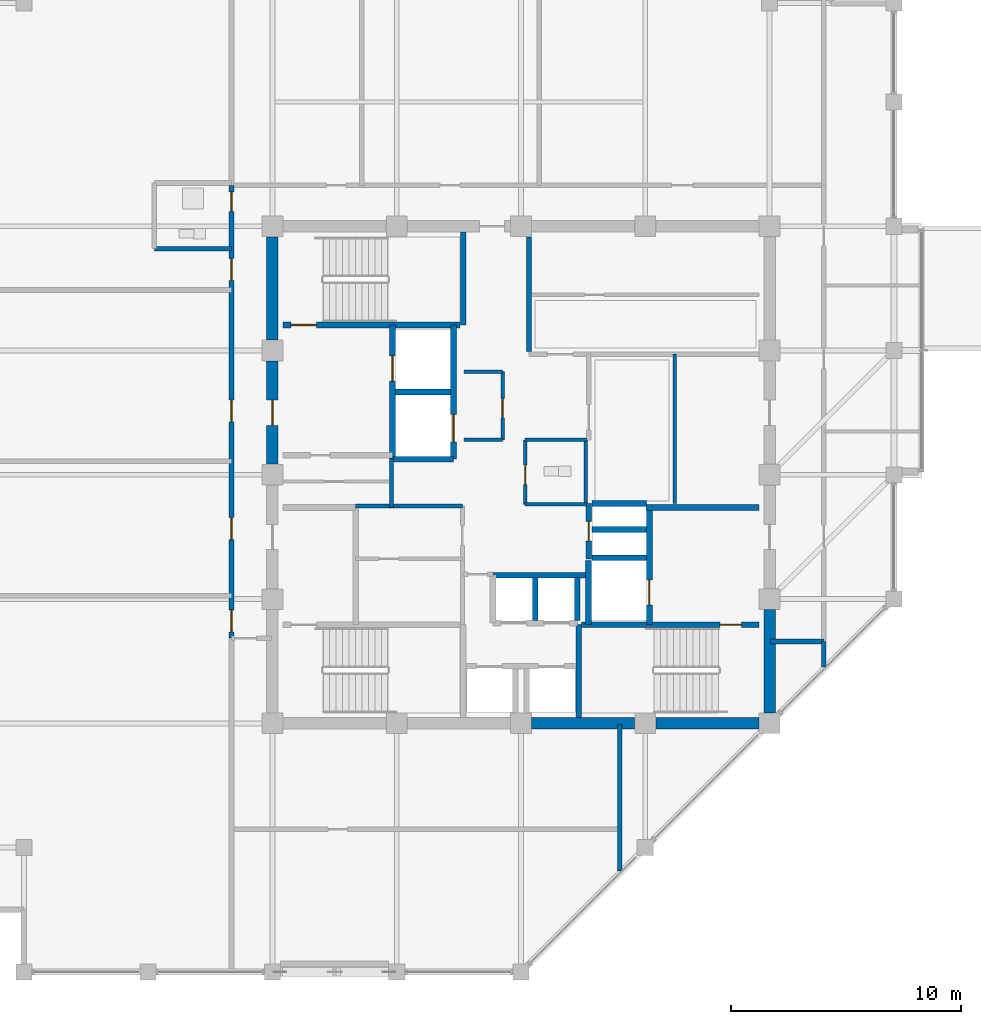
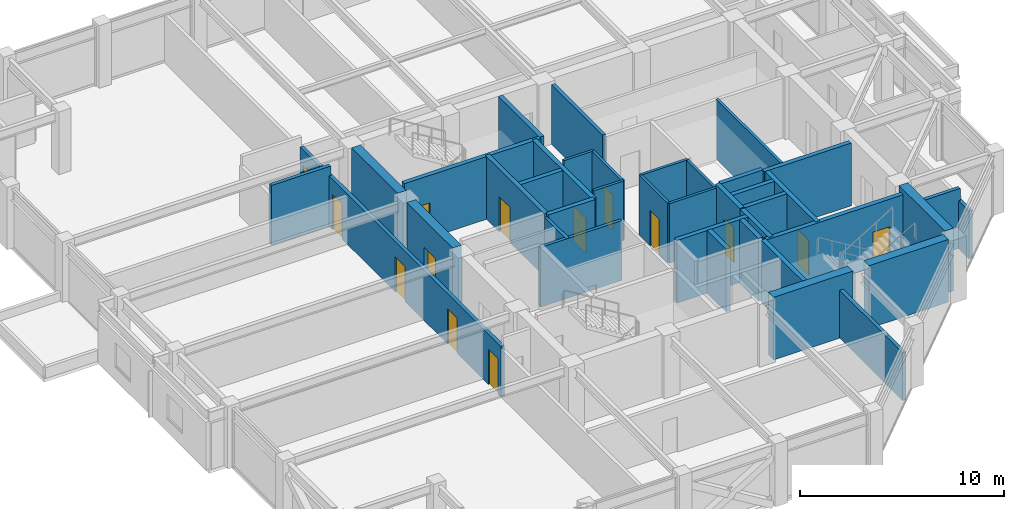
# One storey, part 26 of 31: 39 walls, 14 doors, 14 openings.
"""IFC4 building model written with IfcOpenShell, lengths in metres."""

from ifc_helpers import new_model, si_unit, direction, frame, frame_2d, origin, place, context, subcontext, project, spatial, rectangle, extrude, material, layer, layer_set, type_object, element, fill, save


model = new_model("IFC4")

# Units and contexts
model_context = context("Model", 3, precision=1e-05, world=origin(), true_north=direction((0.0, 1.0)))
body_context = subcontext(model_context, "Body", "Model", "MODEL_VIEW")
ifc_project = project(units=[si_unit("LENGTHUNIT", "METRE"), si_unit("AREAUNIT", "SQUARE_METRE"), si_unit("VOLUMEUNIT", "CUBIC_METRE"), si_unit("PLANEANGLEUNIT", "RADIAN"), si_unit("MASSUNIT", "GRAM", prefix="KILO")], contexts=[model_context])

# Site, building, storey
site_placement = place(None, origin())
site = spatial("IfcSite", under=ifc_project, at=site_placement, CompositionType="ELEMENT")
building_placement = place(site_placement, origin())
building = spatial("IfcBuilding", under=site, at=building_placement, Name="Surkhivell Harbour Commons", CompositionType="ELEMENT")
storey_placement = place(building_placement, frame((0.0, 0.0, 270.0)))
storey = spatial("IfcBuildingStorey", under=building, at=storey_placement, Name="L70", CompositionType="ELEMENT", Elevation=270.0)

# Walls
ifc_material_1 = material(Name="Concrete C50/60", Category="concrete")
ifc_layer_1 = layer(ifc_material_1, 0.5)
ifc_layer_set_1 = layer_set([ifc_layer_1], Name="Concrete C50/60")
wall_type_1 = type_object("IfcWallType", Name="WAL-CORE-500", PredefinedType="SHEAR", material=ifc_layer_set_1)
for number, where, z_axis, x_axis, name in (
    (1, (10.800048828125, -10.340087890625, 0.0), (0.0, 0.0, 1.0), (0.0, 1.0, 0.0), "L70 Core Shear Wall East 1"),
    (2, (0.4599609375, -10.800048828125, 0.0), (0.0, 0.0, 1.0), (1.0, 0.0, 0.0), "L70 Core Shear Wall South 3"),
):
    element("IfcWall", number, at=place(storey_placement, frame(where, z_axis=z_axis, x_axis=x_axis)), inside=storey, type_object=wall_type_1, Name=name, PredefinedType="SHEAR", context=body_context, shape_type="SweptSolid", body=[
        extrude(rectangle(XDim=4.47998046875, YDim=0.5, at=frame_2d((2.239990234375, 0.0))), origin(), (0.0, 0.0, 1.0), 3.75),
    ])

# Wall, opening, door
wall_1_placement = place(storey_placement, frame((-10.800048828125, 0.4599609375, 0.0), z_axis=(0.0, 0.0, 1.0), x_axis=(0.0, 1.0, 0.0)))
wall_1 = element("IfcWall", 3, at=wall_1_placement, inside=storey, type_object=wall_type_1, Name="L70 Core Shear Wall West 3", PredefinedType="SHEAR", context=body_context, shape_type="SweptSolid", body=[
    extrude(rectangle(XDim=4.47998046875, YDim=0.5, at=frame_2d((2.239990234375, 0.0))), origin(), (0.0, 0.0, 1.0), 3.75),
])
opening_1_placement = place(wall_1_placement, frame((1.68994140625, 0.0, 0.0)))
opening_1 = element("IfcOpeningElement", 4, at=opening_1_placement, cuts=wall_1, Name="Opening ID-1", PredefinedType="OPENING", context=body_context, shape_type="SweptSolid", body=[
    extrude(rectangle(XDim=1.10009765625, YDim=2.10009765625, at=frame_2d((0.550048828125, 1.050048828125))), frame((0.0, 0.260009765625, 0.0), z_axis=(0.0, -1.0, 0.0), x_axis=(1.0, 0.0, 0.0)), (0.0, 0.0, 1.0), 0.52001953125),
])
ifc_material_2 = material(Name="Hardwood-veneered fire-rated door leaf", Category="wood")
door_type_1 = type_object("IfcDoorType", Name="DOR-FD120-1100", OperationType="NOTDEFINED", PredefinedType="DOOR", material=ifc_material_2)
door_1_placement = place(opening_1_placement, origin())
door_1 = element("IfcDoor", 5, at=door_1_placement, inside=storey, type_object=door_type_1, Name="L70 Firefighting Lobby 1 Corridor Door", OperationType="SINGLE_SWING_LEFT", OverallHeight=2.10009765625, OverallWidth=1.10009765625, PredefinedType="DOOR", context=body_context, shape_type="SweptSolid", body=[
    extrude(rectangle(XDim=1.10009765625, YDim=2.10009765625, at=frame_2d((0.550048828125, 1.050048828125))), frame((0.0, 0.02490234375, 0.0), z_axis=(0.0, -1.0, 0.0), x_axis=(1.0, 0.0, 0.0)), (0.0, 0.0, 1.0), 0.050048828125),
])
fill(opening_1, door_1)

# Walls
for number, where, z_axis, x_axis, name in (
    (6, (5.860107421875, -10.800048828125, 0.0), (0.0, 0.0, 1.0), (1.0, 0.0, 0.0), "L70 Core Shear Wall South 4"),
    (7, (-10.800048828125, 5.860107421875, 0.0), (0.0, 0.0, 1.0), (0.0, 1.0, 0.0), "L70 Core Shear Wall West 4"),
):
    element("IfcWall", number, at=place(storey_placement, frame(where, z_axis=z_axis, x_axis=x_axis)), inside=storey, type_object=wall_type_1, Name=name, PredefinedType="SHEAR", context=body_context, shape_type="SweptSolid", body=[
        extrude(rectangle(XDim=4.47998046875, YDim=0.5, at=frame_2d((2.239990234375, 0.0))), origin(), (0.0, 0.0, 1.0), 3.75),
    ])
ifc_material_3 = material(Name="Twin-stud acoustic fireboard partition", Category="other")
ifc_layer_2 = layer(ifc_material_3, 0.14990234375)
ifc_layer_set_2 = layer_set([ifc_layer_2], Name="Twin-stud acoustic fireboard partition")
wall_type_2 = type_object("IfcWallType", Name="WAL-INT-150", PredefinedType="PARTITIONING", material=ifc_layer_set_2)
wall_2_placement = place(storey_placement, frame((2.820068359375, -1.25, 0.0), z_axis=(0.0, 0.0, 1.0), x_axis=(0.0, 1.0, 0.0)))
element("IfcWall", 8, at=wall_2_placement, inside=storey, type_object=wall_type_2, Name="L70 Core WC East Wall", PredefinedType="PARTITIONING", context=body_context, shape_type="SweptSolid", body=[
    extrude(rectangle(XDim=2.77001953125, YDim=0.14990234375, at=frame_2d((1.385009765625, 0.0))), origin(), (0.0, 0.0, 1.0), 3.570068359375),
])
for number, where, z_axis, x_axis, name in (
    (9, (0.179931640625, 1.52001953125, 0.0), (0.0, 0.0, 1.0), (1.0, 0.0, 0.0), "L70 Core WC North Wall"),
    (10, (0.179931640625, -1.280029296875, 0.0), (0.0, 0.0, 1.0), (1.0, 0.0, 0.0), "L70 Core WC South Wall"),
):
    element("IfcWall", number, at=place(storey_placement, frame(where, z_axis=z_axis, x_axis=x_axis)), inside=storey, type_object=wall_type_2, Name=name, PredefinedType="PARTITIONING", context=body_context, shape_type="SweptSolid", body=[
        extrude(rectangle(XDim=2.670166015625, YDim=0.14990234375, at=frame_2d((1.3349609375, 0.0))), origin(), (0.0, 0.0, 1.0), 3.570068359375),
    ])

# Wall, opening, door
wall_3_placement = place(storey_placement, frame((0.179931640625, -1.280029296875, 0.0), z_axis=(0.0, 0.0, 1.0), x_axis=(0.0, 1.0, 0.0)))
wall_3 = element("IfcWall", 11, at=wall_3_placement, inside=storey, type_object=wall_type_2, Name="L70 Core Accessible WC West Wall", PredefinedType="PARTITIONING", context=body_context, shape_type="SweptSolid", body=[
    extrude(rectangle(XDim=2.800048828125, YDim=0.14990234375, at=frame_2d((1.39990234375, 0.0))), origin(), (0.0, 0.0, 1.0), 3.570068359375),
])
opening_2_placement = place(wall_3_placement, frame((0.85009765625, 0.0, 0.0)))
opening_2 = element("IfcOpeningElement", 12, at=opening_2_placement, cuts=wall_3, Name="Opening ID-6", PredefinedType="OPENING", context=body_context, shape_type="SweptSolid", body=[
    extrude(rectangle(XDim=0.85009765625, YDim=2.10009765625, at=frame_2d((0.425048828125, 1.050048828125))), frame((0.0, 0.0849609375, 0.0), z_axis=(0.0, -1.0, 0.0), x_axis=(1.0, 0.0, 0.0)), (0.0, 0.0, 1.0), 0.169921875),
])
door_type_2 = type_object("IfcDoorType", Name="DOR-FD30-850", OperationType="NOTDEFINED", PredefinedType="DOOR", material=ifc_material_2)
door_2_placement = place(opening_2_placement, origin())
door_2 = element("IfcDoor", 13, at=door_2_placement, inside=storey, type_object=door_type_2, Name="L70 Floor Accessible WC Door", OperationType="SINGLE_SWING_RIGHT", OverallHeight=2.10009765625, OverallWidth=0.85009765625, PredefinedType="DOOR", context=body_context, shape_type="SweptSolid", body=[
    extrude(rectangle(XDim=0.85009765625, YDim=2.10009765625, at=frame_2d((0.425048828125, 1.050048828125))), frame((0.0, 0.02490234375, 0.0), z_axis=(0.0, -1.0, 0.0), x_axis=(1.0, 0.0, 0.0)), (0.0, 0.0, 1.0), 0.050048828125),
])
fill(opening_2, door_2)

# Wall
wall_4_placement = place(storey_placement, frame((6.679931640625, -1.25, 0.0), z_axis=(0.0, 0.0, 1.0), x_axis=(0.0, 1.0, 0.0)))
element("IfcWall", 14, at=wall_4_placement, inside=storey, type_object=wall_type_2, Name="L70 Seminar Room Wall", PredefinedType="PARTITIONING", context=body_context, shape_type="SweptSolid", body=[
    extrude(rectangle(XDim=6.489990234375, YDim=0.14990234375, at=frame_2d((3.2451171875, 0.0))), origin(), (0.0, 0.0, 1.0), 3.570068359375),
])

# Wall, opening, door
wall_5_placement = place(storey_placement, frame((-0.800048828125, 1.52001953125, 0.0), z_axis=(0.0, 0.0, 1.0), x_axis=(0.0, 1.0, 0.0)))
wall_5 = element("IfcWall", 15, at=wall_5_placement, inside=storey, type_object=wall_type_2, Name="L70 Core Seminar East Wall", PredefinedType="PARTITIONING", context=body_context, shape_type="SweptSolid", body=[
    extrude(rectangle(XDim=2.9599609375, YDim=0.14990234375, at=frame_2d((1.47998046875, 0.0))), origin(), (0.0, 0.0, 1.0), 3.570068359375),
])
opening_3_placement = place(wall_5_placement, frame((0.949951171875, 0.0, 0.0)))
opening_3 = element("IfcOpeningElement", 16, at=opening_3_placement, cuts=wall_5, Name="Opening ID-6", PredefinedType="OPENING", context=body_context, shape_type="SweptSolid", body=[
    extrude(rectangle(XDim=0.85009765625, YDim=2.10009765625, at=frame_2d((0.425048828125, 1.050048828125))), frame((0.0, 0.0849609375, 0.0), z_axis=(0.0, -1.0, 0.0), x_axis=(1.0, 0.0, 0.0)), (0.0, 0.0, 1.0), 0.169921875),
])
door_3_placement = place(opening_3_placement, origin())
door_3 = element("IfcDoor", 17, at=door_3_placement, inside=storey, type_object=door_type_2, Name="L70 Central Seminar Door", OperationType="SINGLE_SWING_LEFT", OverallHeight=2.10009765625, OverallWidth=0.85009765625, PredefinedType="DOOR", context=body_context, shape_type="SweptSolid", body=[
    extrude(rectangle(XDim=0.85009765625, YDim=2.10009765625, at=frame_2d((0.425048828125, 1.050048828125))), frame((0.0, 0.02490234375, 0.0), z_axis=(0.0, -1.0, 0.0), x_axis=(1.0, 0.0, 0.0)), (0.0, 0.0, 1.0), 0.050048828125),
])
fill(opening_3, door_3)

# Walls
for number, where, z_axis, x_axis, name in (
    (18, (-2.47998046875, 4.47998046875, 0.0), (0.0, 0.0, 1.0), (1.0, 0.0, 0.0), "L70 Core Seminar North Wall"),
    (19, (-2.47998046875, 1.52001953125, 0.0), (0.0, 0.0, 1.0), (1.0, 0.0, 0.0), "L70 Core Seminar South Wall"),
):
    element("IfcWall", number, at=place(storey_placement, frame(where, z_axis=z_axis, x_axis=x_axis)), inside=storey, type_object=wall_type_2, Name=name, PredefinedType="PARTITIONING", context=body_context, shape_type="SweptSolid", body=[
        extrude(rectangle(XDim=1.679931640625, YDim=0.14990234375, at=frame_2d((0.83984375, 0.0))), origin(), (0.0, 0.0, 1.0), 3.570068359375),
    ])
ifc_material_4 = material(Name="High-density acoustic blockwork fire partition", Category="masonry")
ifc_layer_3 = layer(ifc_material_4, 0.175048828125)
ifc_layer_set_3 = layer_set([ifc_layer_3], Name="High-density acoustic blockwork fire partition")
wall_type_3 = type_object("IfcWallType", Name="WAL-INT-175", PredefinedType="PARTITIONING", material=ifc_layer_set_3)
wall_6_placement = place(storey_placement, frame((-7.179931640625, -1.35009765625, 0.0), z_axis=(0.0, 0.0, 1.0), x_axis=(1.0, 0.0, 0.0)))
element("IfcWall", 20, at=wall_6_placement, inside=storey, type_object=wall_type_3, Name="L70 Core Service Bay North Wall", PredefinedType="PARTITIONING", context=body_context, shape_type="SweptSolid", body=[
    extrude(rectangle(XDim=4.6298828125, YDim=0.175048828125, at=frame_2d((2.31494140625, 0.0))), origin(), (0.0, 0.0, 1.0), 3.570068359375),
])
wall_7_placement = place(storey_placement, frame((-5.6201171875, -1.419921875, 0.0), z_axis=(0.0, 0.0, 1.0), x_axis=(0.0, 1.0, 0.0)))
element("IfcWall", 21, at=wall_7_placement, inside=storey, type_object=wall_type_3, Name="L70 West Core Bay East Wall", PredefinedType="PARTITIONING", context=body_context, shape_type="SweptSolid", body=[
    extrude(rectangle(XDim=2.139892578125, YDim=0.175048828125, at=frame_2d((1.06982421875, 0.0))), origin(), (0.0, 0.0, 1.0), 3.570068359375),
])
ifc_material_5 = material(Name="Autoclaved aerated concrete blockwork and fire plaster", Category="masonry")
ifc_layer_4 = layer(ifc_material_5, 0.199951171875)
ifc_layer_set_4 = layer_set([ifc_layer_4], Name="Autoclaved aerated concrete blockwork and fire plaster")
wall_type_4 = type_object("IfcWallType", Name="WAL-INT-200", PredefinedType="PARTITIONING", material=ifc_layer_set_4)
wall_8_placement = place(storey_placement, frame((0.35009765625, 5.360107421875, 0.0), z_axis=(0.0, 0.0, 1.0), x_axis=(0.0, 1.0, 0.0)))
element("IfcWall", 22, at=wall_8_placement, inside=storey, type_object=wall_type_4, Name="L70 Reclaimed Core North Bay West Wall", PredefinedType="PARTITIONING", context=body_context, shape_type="SweptSolid", body=[
    extrude(rectangle(XDim=4.97998046875, YDim=0.199951171875, at=frame_2d((2.489990234375, 0.0))), origin(), (0.0, 0.0, 1.0), 3.570068359375),
])
wall_9_placement = place(storey_placement, frame((13.159912109375, -8.355224609375, 0.0), z_axis=(0.0, 0.0, 1.0), x_axis=(0.0, 1.0, 0.0)))
element("IfcWall", 23, at=wall_9_placement, inside=storey, type_object=wall_type_4, Name="L70 East Wing South Closure Wall", PredefinedType="PARTITIONING", context=body_context, shape_type="SweptSolid", body=[
    extrude(rectangle(XDim=1.115234375, YDim=0.199951171875, at=frame_2d((0.5576171875, 0.0))), origin(), (0.0, 0.0, 1.0), 2.85693359375),
])
wall_10_placement = place(storey_placement, frame((10.85009765625, -7.239990234375, 0.0), z_axis=(0.0, 0.0, 1.0), x_axis=(1.0, 0.0, 0.0)))
element("IfcWall", 24, at=wall_10_placement, inside=storey, type_object=wall_type_4, Name="L70 East Corridor South Closure Wall", PredefinedType="PARTITIONING", context=body_context, shape_type="SweptSolid", body=[
    extrude(rectangle(XDim=2.309814453125, YDim=0.199951171875, at=frame_2d((1.15478515625, 0.0))), origin(), (0.0, 0.0, 1.0), 3.570068359375),
])
wall_11_placement = place(storey_placement, frame((4.300048828125, -17.215087890625, 0.0), z_axis=(0.0, 0.0, 1.0), x_axis=(0.0, 1.0, 0.0)))
element("IfcWall", 25, at=wall_11_placement, inside=storey, type_object=wall_type_4, Name="L70 South Hall East Wall", PredefinedType="PARTITIONING", context=body_context, shape_type="SweptSolid", body=[
    extrude(rectangle(XDim=6.364990234375, YDim=0.199951171875, at=frame_2d((3.1826171875, 0.0))), origin(), (0.0, 0.0, 1.0), 2.85693359375),
])

# Wall, openings, doors
wall_12_placement = place(storey_placement, frame((-12.580078125, -7.10009765625, 0.0), z_axis=(0.0, 0.0, 1.0), x_axis=(0.0, 1.0, 0.0)))
wall_12 = element("IfcWall", 26, at=wall_12_placement, inside=storey, type_object=wall_type_4, Name="L70 West Corridor Wall", PredefinedType="PARTITIONING", context=body_context, shape_type="SweptSolid", body=[
    extrude(rectangle(XDim=19.68017578125, YDim=0.199951171875, at=frame_2d((9.840087890625, 0.0))), origin(), (0.0, 0.0, 1.0), 3.012939453125),
])
opening_4_placement = place(wall_12_placement, frame((0.280029296875, 0.0, 0.0)))
opening_4 = element("IfcOpeningElement", 27, at=opening_4_placement, cuts=wall_12, Name="Opening ID-4", PredefinedType="OPENING", context=body_context, shape_type="SweptSolid", body=[
    extrude(rectangle(XDim=0.949951171875, YDim=2.10009765625, at=frame_2d((0.47509765625, 1.050048828125))), frame((0.0, 0.10986328125, 0.0), z_axis=(0.0, -1.0, 0.0), x_axis=(1.0, 0.0, 0.0)), (0.0, 0.0, 1.0), 0.219970703125),
])
opening_5_placement = place(wall_12_placement, frame((18.550048828125, 0.0, 0.0)))
opening_5 = element("IfcOpeningElement", 28, at=opening_5_placement, cuts=wall_12, Name="Opening ID-6", PredefinedType="OPENING", context=body_context, shape_type="SweptSolid", body=[
    extrude(rectangle(XDim=0.85009765625, YDim=2.10009765625, at=frame_2d((0.425048828125, 1.050048828125))), frame((0.0, 0.10986328125, 0.0), z_axis=(0.0, -1.0, 0.0), x_axis=(1.0, 0.0, 0.0)), (0.0, 0.0, 1.0), 0.219970703125),
])
opening_6_placement = place(wall_12_placement, frame((15.550048828125, 0.0, 0.0)))
opening_6 = element("IfcOpeningElement", 29, at=opening_6_placement, cuts=wall_12, Name="Opening ID-4", PredefinedType="OPENING", context=body_context, shape_type="SweptSolid", body=[
    extrude(rectangle(XDim=0.949951171875, YDim=2.10009765625, at=frame_2d((0.47509765625, 1.050048828125))), frame((0.0, 0.10986328125, 0.0), z_axis=(0.0, -1.0, 0.0), x_axis=(1.0, 0.0, 0.0)), (0.0, 0.0, 1.0), 0.219970703125),
])
opening_7_placement = place(wall_12_placement, frame((4.2900390625, 0.0, 0.0)))
opening_7 = element("IfcOpeningElement", 30, at=opening_7_placement, cuts=wall_12, Name="Opening ID-4", PredefinedType="OPENING", context=body_context, shape_type="SweptSolid", body=[
    extrude(rectangle(XDim=0.949951171875, YDim=2.10009765625, at=frame_2d((0.47509765625, 1.050048828125))), frame((0.0, 0.10986328125, 0.0), z_axis=(0.0, -1.0, 0.0), x_axis=(1.0, 0.0, 0.0)), (0.0, 0.0, 1.0), 0.219970703125),
])
opening_8_placement = place(wall_12_placement, frame((9.4013671875, 0.0, 0.0)))
opening_8 = element("IfcOpeningElement", 31, at=opening_8_placement, cuts=wall_12, Name="Opening ID-4", PredefinedType="OPENING", context=body_context, shape_type="SweptSolid", body=[
    extrude(rectangle(XDim=0.949951171875, YDim=2.10009765625, at=frame_2d((0.47509765625, 1.050048828125))), frame((0.0, 0.10986328125, 0.0), z_axis=(0.0, -1.0, 0.0), x_axis=(1.0, 0.0, 0.0)), (0.0, 0.0, 1.0), 0.219970703125),
])
door_4_placement = place(opening_5_placement, origin())
door_4 = element("IfcDoor", 32, at=door_4_placement, inside=storey, type_object=door_type_2, Name="L70 Communal Shower Bathroom West Door", OperationType="SINGLE_SWING_LEFT", OverallHeight=2.10009765625, OverallWidth=0.85009765625, PredefinedType="DOOR", context=body_context, shape_type="SweptSolid", body=[
    extrude(rectangle(XDim=0.85009765625, YDim=2.10009765625, at=frame_2d((0.425048828125, 1.050048828125))), frame((0.0, 0.02490234375, 0.0), z_axis=(0.0, -1.0, 0.0), x_axis=(1.0, 0.0, 0.0)), (0.0, 0.0, 1.0), 0.050048828125),
])
fill(opening_5, door_4)
door_type_3 = type_object("IfcDoorType", Name="DOR-FD60-950", OperationType="NOTDEFINED", PredefinedType="DOOR", material=ifc_material_2)
door_5_placement = place(opening_4_placement, origin())
door_5 = element("IfcDoor", 33, at=door_5_placement, inside=storey, type_object=door_type_3, Name="L70 Shared Communal Kitchen West Door", OperationType="SINGLE_SWING_RIGHT", OverallHeight=2.10009765625, OverallWidth=0.949951171875, PredefinedType="DOOR", context=body_context, shape_type="SweptSolid", body=[
    extrude(rectangle(XDim=0.949951171875, YDim=2.10009765625, at=frame_2d((0.47509765625, 1.050048828125))), frame((0.0, 0.02490234375, 0.0), z_axis=(0.0, -1.0, 0.0), x_axis=(1.0, 0.0, 0.0)), (0.0, 0.0, 1.0), 0.050048828125),
])
fill(opening_4, door_5)
door_6_placement = place(opening_6_placement, origin())
door_6 = element("IfcDoor", 34, at=door_6_placement, inside=storey, type_object=door_type_3, Name="L70 Academic Reading Commons West Door", OperationType="SINGLE_SWING_RIGHT", OverallHeight=2.10009765625, OverallWidth=0.949951171875, PredefinedType="DOOR", context=body_context, shape_type="SweptSolid", body=[
    extrude(rectangle(XDim=0.949951171875, YDim=2.10009765625, at=frame_2d((0.47509765625, 1.050048828125))), frame((0.0, 0.02490234375, 0.0), z_axis=(0.0, -1.0, 0.0), x_axis=(1.0, 0.0, 0.0)), (0.0, 0.0, 1.0), 0.050048828125),
])
fill(opening_6, door_6)
door_7_placement = place(opening_7_placement, origin())
door_7 = element("IfcDoor", 35, at=door_7_placement, inside=storey, type_object=door_type_3, Name="L70 Hostel Cluster Bedroom 1 West Door", OperationType="SINGLE_SWING_LEFT", OverallHeight=2.10009765625, OverallWidth=0.949951171875, PredefinedType="DOOR", context=body_context, shape_type="SweptSolid", body=[
    extrude(rectangle(XDim=0.949951171875, YDim=2.10009765625, at=frame_2d((0.47509765625, 1.050048828125))), frame((0.0, 0.02490234375, 0.0), z_axis=(0.0, -1.0, 0.0), x_axis=(1.0, 0.0, 0.0)), (0.0, 0.0, 1.0), 0.050048828125),
])
fill(opening_7, door_7)
door_8_placement = place(opening_8_placement, origin())
door_8 = element("IfcDoor", 36, at=door_8_placement, inside=storey, type_object=door_type_3, Name="L70 Co-Living Dormitory Bedroom 2 West Door", OperationType="SINGLE_SWING_RIGHT", OverallHeight=2.10009765625, OverallWidth=0.949951171875, PredefinedType="DOOR", context=body_context, shape_type="SweptSolid", body=[
    extrude(rectangle(XDim=0.949951171875, YDim=2.10009765625, at=frame_2d((0.47509765625, 1.050048828125))), frame((0.0, 0.02490234375, 0.0), z_axis=(0.0, -1.0, 0.0), x_axis=(1.0, 0.0, 0.0)), (0.0, 0.0, 1.0), 0.050048828125),
])
fill(opening_8, door_8)

# Wall
wall_13_placement = place(storey_placement, frame((-15.929931640625, 9.830078125, 0.0), z_axis=(0.0, 0.0, 1.0), x_axis=(1.0, 0.0, 0.0)))
element("IfcWall", 37, at=wall_13_placement, inside=storey, type_object=wall_type_4, Name="L70 West Partition BTHS", PredefinedType="PARTITIONING", context=body_context, shape_type="SweptSolid", body=[
    extrude(rectangle(XDim=3.349853515625, YDim=0.199951171875, at=frame_2d((1.6748046875, 0.0))), origin(), (0.0, 0.0, 1.0), 3.570068359375),
])

# Wall, opening, door
ifc_layer_5 = layer(ifc_material_1, 0.25)
ifc_layer_set_5 = layer_set([ifc_layer_5], Name="Concrete C50/60")
wall_type_5 = type_object("IfcWallType", Name="WAL-SHAFT-250", PredefinedType="SHEAR", material=ifc_layer_set_5)
wall_14_placement = place(storey_placement, frame((-5.580078125, 0.719970703125, 0.0), z_axis=(0.0, 0.0, 1.0), x_axis=(0.0, 1.0, 0.0)))
wall_14 = element("IfcWall", 38, at=wall_14_placement, inside=storey, type_object=wall_type_5, Name="L70 Firefighting Lobby 1 East Shaft Wall", PredefinedType="SHEAR", context=body_context, shape_type="SweptSolid", body=[
    extrude(rectangle(XDim=5.7900390625, YDim=0.25, at=frame_2d((2.89501953125, 0.0))), origin(), (0.0, 0.0, 1.0), 3.75),
])
opening_9_placement = place(wall_14_placement, frame((3.35009765625, 0.0, 0.0)))
opening_9 = element("IfcOpeningElement", 39, at=opening_9_placement, cuts=wall_14, Name="Opening LD-1", PredefinedType="OPENING", context=body_context, shape_type="SweptSolid", body=[
    extrude(rectangle(XDim=1.10009765625, YDim=2.10009765625, at=frame_2d((0.550048828125, 1.050048828125))), frame((0.0, 0.135009765625, 0.0), z_axis=(0.0, -1.0, 0.0), x_axis=(1.0, 0.0, 0.0)), (0.0, 0.0, 1.0), 0.27001953125),
])
ifc_material_6 = material(Name="Brushed stainless steel S355", Category="steel")
door_type_4 = type_object("IfcDoorType", Name="DOR-LD-1100", OperationType="SLIDING_TO_LEFT", PredefinedType="DOOR", material=ifc_material_6)
door_9_placement = place(opening_9_placement, origin())
door_9 = element("IfcDoor", 40, at=door_9_placement, inside=storey, type_object=door_type_4, Name="L70 Lift Landing Door LD-FFL1", OperationType="SLIDING_TO_LEFT", OverallHeight=2.10009765625, OverallWidth=1.10009765625, PredefinedType="DOOR", context=body_context, shape_type="SweptSolid", body=[
    extrude(rectangle(XDim=1.10009765625, YDim=2.10009765625, at=frame_2d((0.550048828125, 1.050048828125))), frame((0.0, 0.02490234375, 0.0), z_axis=(0.0, -1.0, 0.0), x_axis=(1.0, 0.0, 0.0)), (0.0, 0.0, 1.0), 0.050048828125),
])
fill(opening_9, door_9)

# Walls
wall_15_placement = place(storey_placement, frame((2.929931640625, -6.510009765625, 0.0), z_axis=(0.0, 0.0, 1.0), x_axis=(0.0, 1.0, 0.0)))
element("IfcWall", 41, at=wall_15_placement, inside=storey, type_object=wall_type_5, Name="L70 FFL2 West Shaft Wall", PredefinedType="SHEAR", context=body_context, shape_type="SweptSolid", body=[
    extrude(rectangle(XDim=2.7900390625, YDim=0.25, at=frame_2d((1.39501953125, 0.0))), origin(), (0.0, 0.0, 1.0), 3.75),
])
wall_16_placement = place(storey_placement, frame((5.43994140625, -1.419921875, 0.0), z_axis=(0.0, 0.0, 1.0), x_axis=(1.0, 0.0, 0.0)))
element("IfcWall", 42, at=wall_16_placement, inside=storey, type_object=wall_type_5, Name="L70 Firefighting Lobby 2 North Wall", PredefinedType="SHEAR", context=body_context, shape_type="SweptSolid", body=[
    extrude(rectangle(XDim=4.900146484375, YDim=0.25, at=frame_2d((2.4501953125, 0.0))), origin(), (0.0, 0.0, 1.0), 3.75),
])
wall_17_placement = place(storey_placement, frame((3.080078125, -3.60009765625, 0.0), z_axis=(0.0, 0.0, 1.0), x_axis=(1.0, 0.0, 0.0)))
element("IfcWall", 43, at=wall_17_placement, inside=storey, type_object=wall_type_5, Name="L70 FFL2 North Shaft Wall", PredefinedType="SHEAR", context=body_context, shape_type="SweptSolid", body=[
    extrude(rectangle(XDim=2.369873046875, YDim=0.25, at=frame_2d((1.18505859375, 0.0))), origin(), (0.0, 0.0, 1.0), 3.75),
])

# Wall, opening, door
wall_18_placement = place(storey_placement, frame((5.580078125, -6.510009765625, 0.0), z_axis=(0.0, 0.0, 1.0), x_axis=(0.0, 1.0, 0.0)))
wall_18 = element("IfcWall", 44, at=wall_18_placement, inside=storey, type_object=wall_type_5, Name="L70 Firefighting Lobby 2 West Shaft Wall", PredefinedType="SHEAR", context=body_context, shape_type="SweptSolid", body=[
    extrude(rectangle(XDim=5.090087890625, YDim=0.25, at=frame_2d((2.544921875, 0.0))), origin(), (0.0, 0.0, 1.0), 3.75),
])
opening_10_placement = place(wall_18_placement, frame((0.85009765625, 0.0, 0.0)))
opening_10 = element("IfcOpeningElement", 45, at=opening_10_placement, cuts=wall_18, Name="Opening LD-1", PredefinedType="OPENING", context=body_context, shape_type="SweptSolid", body=[
    extrude(rectangle(XDim=1.10009765625, YDim=2.10009765625, at=frame_2d((0.550048828125, 1.050048828125))), frame((0.0, 0.135009765625, 0.0), z_axis=(0.0, -1.0, 0.0), x_axis=(1.0, 0.0, 0.0)), (0.0, 0.0, 1.0), 0.27001953125),
])
door_10_placement = place(opening_10_placement, origin())
door_10 = element("IfcDoor", 46, at=door_10_placement, inside=storey, type_object=door_type_4, Name="L70 Lift Landing Door LD-FFL2", OperationType="SLIDING_TO_RIGHT", OverallHeight=2.10009765625, OverallWidth=1.10009765625, PredefinedType="DOOR", context=body_context, shape_type="SweptSolid", body=[
    extrude(rectangle(XDim=1.10009765625, YDim=2.10009765625, at=frame_2d((0.550048828125, 1.050048828125))), frame((0.0, 0.02490234375, 0.0), z_axis=(0.0, -1.0, 0.0), x_axis=(1.0, 0.0, 0.0)), (0.0, 0.0, 1.0), 0.050048828125),
])
fill(opening_10, door_10)

# Walls
for number, where, z_axis, x_axis, name in (
    (47, (0.6201171875, -6.340087890625, 0.0), (0.0, 0.0, 1.0), (0.0, 1.0, 0.0), "L70 High-Rise Side Wall N"),
    (48, (2.449951171875, -6.340087890625, 0.0), (0.0, 0.0, 1.0), (0.0, 1.0, 0.0), "L70 High-Rise Side Wall N"),
):
    element("IfcWall", number, at=place(storey_placement, frame(where, z_axis=z_axis, x_axis=x_axis)), inside=storey, type_object=wall_type_5, Name=name, PredefinedType="SHEAR", context=body_context, shape_type="SweptSolid", body=[
        extrude(rectangle(XDim=1.880126953125, YDim=0.25, at=frame_2d((0.93994140625, 0.0))), origin(), (0.0, 0.0, 1.0), 3.75),
    ])
wall_19_placement = place(storey_placement, frame((-1.219970703125, -4.360107421875, 0.0), z_axis=(0.0, 0.0, 1.0), x_axis=(1.0, 0.0, 0.0)))
element("IfcWall", 49, at=wall_19_placement, inside=storey, type_object=wall_type_5, Name="L70 High-Rise North Back Shaft Wall", PredefinedType="SHEAR", context=body_context, shape_type="SweptSolid", body=[
    extrude(rectangle(XDim=4.030029296875, YDim=0.25, at=frame_2d((2.01513671875, 0.0))), origin(), (0.0, 0.0, 1.0), 3.75),
])
for number, where, z_axis, x_axis, name in (
    (50, (3.080078125, -2.3798828125, 0.0), (0.0, 0.0, 1.0), (1.0, 0.0, 0.0), "L70 Riser Divider Wall"),
    (51, (3.080078125, -1.25, 0.0), (0.0, 0.0, 1.0), (1.0, 0.0, 0.0), "L70 Riser North Wall"),
):
    element("IfcWall", number, at=place(storey_placement, frame(where, z_axis=z_axis, x_axis=x_axis)), inside=storey, type_object=wall_type_5, Name=name, PredefinedType="SHEAR", context=body_context, shape_type="SweptSolid", body=[
        extrude(rectangle(XDim=2.369873046875, YDim=0.25, at=frame_2d((1.18505859375, 0.0))), origin(), (0.0, 0.0, 1.0), 3.75),
    ])

# Wall, opening, door
wall_20_placement = place(storey_placement, frame((2.949951171875, -3.64990234375, 0.0), z_axis=(0.0, 0.0, 1.0), x_axis=(0.0, 1.0, 0.0)))
wall_20 = element("IfcWall", 52, at=wall_20_placement, inside=storey, type_object=wall_type_5, Name="L70 Riser Shaft West Wall", PredefinedType="SHEAR", context=body_context, shape_type="SweptSolid", body=[
    extrude(rectangle(XDim=2.39990234375, YDim=0.25, at=frame_2d((1.199951171875, 0.0))), origin(), (0.0, 0.0, 1.0), 3.75),
])
opening_11_placement = place(wall_20_placement, frame((0.77490234375, 0.0, 0.0)))
opening_11 = element("IfcOpeningElement", 53, at=opening_11_placement, cuts=wall_20, Name="Opening ID-6", PredefinedType="OPENING", context=body_context, shape_type="SweptSolid", body=[
    extrude(rectangle(XDim=0.85009765625, YDim=2.10009765625, at=frame_2d((0.425048828125, 1.050048828125))), frame((0.0, 0.135009765625, 0.0), z_axis=(0.0, -1.0, 0.0), x_axis=(1.0, 0.0, 0.0)), (0.0, 0.0, 1.0), 0.27001953125),
])
door_11_placement = place(opening_11_placement, origin())
door_11 = element("IfcDoor", 54, at=door_11_placement, inside=storey, type_object=door_type_2, Name="L70 Electrical Riser Access Door", OperationType="SINGLE_SWING_LEFT", OverallHeight=2.10009765625, OverallWidth=0.85009765625, PredefinedType="DOOR", context=body_context, shape_type="SweptSolid", body=[
    extrude(rectangle(XDim=0.85009765625, YDim=2.10009765625, at=frame_2d((0.425048828125, 1.050048828125))), frame((0.0, 0.02490234375, 0.0), z_axis=(0.0, -1.0, 0.0), x_axis=(1.0, 0.0, 0.0)), (0.0, 0.0, 1.0), 0.050048828125),
])
fill(opening_11, door_11)

# Wall
wall_21_placement = place(storey_placement, frame((-2.510009765625, 6.510009765625, 0.0), z_axis=(0.0, 0.0, 1.0), x_axis=(0.0, 1.0, 0.0)))
element("IfcWall", 55, at=wall_21_placement, inside=storey, type_object=wall_type_5, Name="L70 Stair ST1 East Shear Wall", PredefinedType="SHEAR", context=body_context, shape_type="SweptSolid", body=[
    extrude(rectangle(XDim=4.0400390625, YDim=0.25, at=frame_2d((2.02001953125, 0.0))), origin(), (0.0, 0.0, 1.0), 3.75),
])

# Wall, opening, door
wall_22_placement = place(storey_placement, frame((-10.340087890625, 6.510009765625, 0.0), z_axis=(0.0, 0.0, 1.0), x_axis=(1.0, 0.0, 0.0)))
wall_22 = element("IfcWall", 56, at=wall_22_placement, inside=storey, type_object=wall_type_5, Name="L70 Stair ST1 South Shear Wall", PredefinedType="SHEAR", context=body_context, shape_type="SweptSolid", body=[
    extrude(rectangle(XDim=7.7001953125, YDim=0.25, at=frame_2d((3.85009765625, 0.0))), origin(), (0.0, 0.0, 1.0), 3.75),
])
opening_12_placement = place(wall_22_placement, frame((0.35009765625, 0.0, 0.0)))
opening_12 = element("IfcOpeningElement", 57, at=opening_12_placement, cuts=wall_22, Name="Opening ID-2", PredefinedType="OPENING", context=body_context, shape_type="SweptSolid", body=[
    extrude(rectangle(XDim=1.10009765625, YDim=2.10009765625, at=frame_2d((0.550048828125, 1.050048828125))), frame((0.0, 0.135009765625, 0.0), z_axis=(0.0, -1.0, 0.0), x_axis=(1.0, 0.0, 0.0)), (0.0, 0.0, 1.0), 0.27001953125),
])
door_type_5 = type_object("IfcDoorType", Name="DOR-FD60-1100", OperationType="NOTDEFINED", PredefinedType="DOOR", material=ifc_material_2)
door_12_placement = place(opening_12_placement, origin())
door_12 = element("IfcDoor", 58, at=door_12_placement, inside=storey, type_object=door_type_5, Name="L70 Stair ST1 Exit Door", OperationType="SINGLE_SWING_LEFT", OverallHeight=2.10009765625, OverallWidth=1.10009765625, PredefinedType="DOOR", context=body_context, shape_type="SweptSolid", body=[
    extrude(rectangle(XDim=1.10009765625, YDim=2.10009765625, at=frame_2d((0.550048828125, 1.050048828125))), frame((0.0, 0.02490234375, 0.0), z_axis=(0.0, -1.0, 0.0), x_axis=(1.0, 0.0, 0.0)), (0.0, 0.0, 1.0), 0.050048828125),
])
fill(opening_12, door_12)

wall_23_placement = place(storey_placement, frame((2.639892578125, -6.510009765625, 0.0), z_axis=(0.0, 0.0, 1.0), x_axis=(1.0, 0.0, 0.0)))
wall_23 = element("IfcWall", 59, at=wall_23_placement, inside=storey, type_object=wall_type_5, Name="L70 Stair ST2 North Shear Wall", PredefinedType="SHEAR", context=body_context, shape_type="SweptSolid", body=[
    extrude(rectangle(XDim=7.7001953125, YDim=0.25, at=frame_2d((3.85009765625, 0.0))), origin(), (0.0, 0.0, 1.0), 3.75),
])
opening_13_placement = place(wall_23_placement, frame((6.0, 0.0, 0.0)))
opening_13 = element("IfcOpeningElement", 60, at=opening_13_placement, cuts=wall_23, Name="Opening ID-4", PredefinedType="OPENING", context=body_context, shape_type="SweptSolid", body=[
    extrude(rectangle(XDim=0.949951171875, YDim=2.10009765625, at=frame_2d((0.47509765625, 1.050048828125))), frame((0.0, 0.135009765625, 0.0), z_axis=(0.0, -1.0, 0.0), x_axis=(1.0, 0.0, 0.0)), (0.0, 0.0, 1.0), 0.27001953125),
])
door_13_placement = place(opening_13_placement, origin())
door_13 = element("IfcDoor", 61, at=door_13_placement, inside=storey, type_object=door_type_3, Name="L70 Stair ST2 Exit Door", OperationType="SINGLE_SWING_RIGHT", OverallHeight=2.10009765625, OverallWidth=0.949951171875, PredefinedType="DOOR", context=body_context, shape_type="SweptSolid", body=[
    extrude(rectangle(XDim=0.949951171875, YDim=2.10009765625, at=frame_2d((0.47509765625, 1.050048828125))), frame((0.0, 0.02490234375, 0.0), z_axis=(0.0, -1.0, 0.0), x_axis=(1.0, 0.0, 0.0)), (0.0, 0.0, 1.0), 0.050048828125),
])
fill(opening_13, door_13)

# Wall
wall_24_placement = place(storey_placement, frame((2.510009765625, -10.550048828125, 0.0), z_axis=(0.0, 0.0, 1.0), x_axis=(0.0, 1.0, 0.0)))
element("IfcWall", 62, at=wall_24_placement, inside=storey, type_object=wall_type_5, Name="L70 Stair ST2 West Shear Wall", PredefinedType="SHEAR", context=body_context, shape_type="SweptSolid", body=[
    extrude(rectangle(XDim=4.0400390625, YDim=0.25, at=frame_2d((2.02001953125, 0.0))), origin(), (0.0, 0.0, 1.0), 3.75),
])

# Wall, opening, door
wall_25_placement = place(storey_placement, frame((-2.929931640625, 0.679931640625, 0.0), z_axis=(0.0, 0.0, 1.0), x_axis=(0.0, 1.0, 0.0)))
wall_25 = element("IfcWall", 63, at=wall_25_placement, inside=storey, type_object=wall_type_5, Name="L70 Service and Fire Lift East Shaft Wall", PredefinedType="SHEAR", context=body_context, shape_type="SweptSolid", body=[
    extrude(rectangle(XDim=5.830078125, YDim=0.25, at=frame_2d((2.9150390625, 0.0))), origin(), (0.0, 0.0, 1.0), 3.75),
])
opening_14_placement = place(wall_25_placement, frame((0.75, 0.0, 0.0)))
opening_14 = element("IfcOpeningElement", 64, at=opening_14_placement, cuts=wall_25, Name="Opening LD-2", PredefinedType="OPENING", context=body_context, shape_type="SweptSolid", body=[
    extrude(rectangle(XDim=1.199951171875, YDim=2.10009765625, at=frame_2d((0.60009765625, 1.050048828125))), frame((0.0, 0.135009765625, 0.0), z_axis=(0.0, -1.0, 0.0), x_axis=(1.0, 0.0, 0.0)), (0.0, 0.0, 1.0), 0.27001953125),
])
door_type_6 = type_object("IfcDoorType", Name="DOR-LD-1200", OperationType="SLIDING_TO_LEFT", PredefinedType="DOOR", material=ifc_material_6)
door_14_placement = place(opening_14_placement, origin())
door_14 = element("IfcDoor", 65, at=door_14_placement, inside=storey, type_object=door_type_6, Name="L70 Lift Landing Door LD-SVL1", OperationType="SLIDING_TO_LEFT", OverallHeight=2.10009765625, OverallWidth=1.199951171875, PredefinedType="DOOR", context=body_context, shape_type="SweptSolid", body=[
    extrude(rectangle(XDim=1.199951171875, YDim=2.10009765625, at=frame_2d((0.60009765625, 1.050048828125))), frame((0.0, 0.02490234375, 0.0), z_axis=(0.0, -1.0, 0.0), x_axis=(1.0, 0.0, 0.0)), (0.0, 0.0, 1.0), 0.050048828125),
])
fill(opening_14, door_14)

# Walls
wall_26_placement = place(storey_placement, frame((-5.449951171875, 3.60009765625, 0.0), z_axis=(0.0, 0.0, 1.0), x_axis=(1.0, 0.0, 0.0)))
element("IfcWall", 66, at=wall_26_placement, inside=storey, type_object=wall_type_5, Name="L70 FFL1/SVL1 Shaft Divider", PredefinedType="SHEAR", context=body_context, shape_type="SweptSolid", body=[
    extrude(rectangle(XDim=2.389892578125, YDim=0.25, at=frame_2d((1.19482421875, 0.0))), origin(), (0.0, 0.0, 1.0), 3.75),
])
wall_27_placement = place(storey_placement, frame((-5.580078125, 0.679931640625, 0.0), z_axis=(0.0, 0.0, 1.0), x_axis=(1.0, 0.0, 0.0)))
element("IfcWall", 67, at=wall_27_placement, inside=storey, type_object=wall_type_5, Name="L70 SVL1 South Shaft Wall", PredefinedType="SHEAR", context=body_context, shape_type="SweptSolid", body=[
    extrude(rectangle(XDim=2.650146484375, YDim=0.25, at=frame_2d((1.3251953125, 0.0))), origin(), (0.0, 0.0, 1.0), 3.75),
])

save(model, "model.ifc")
